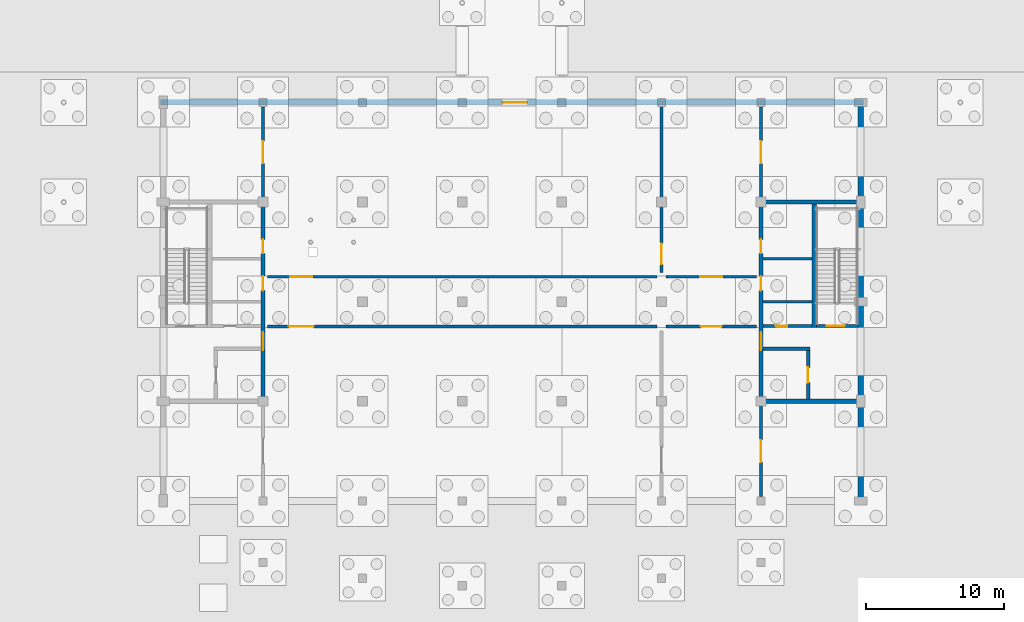
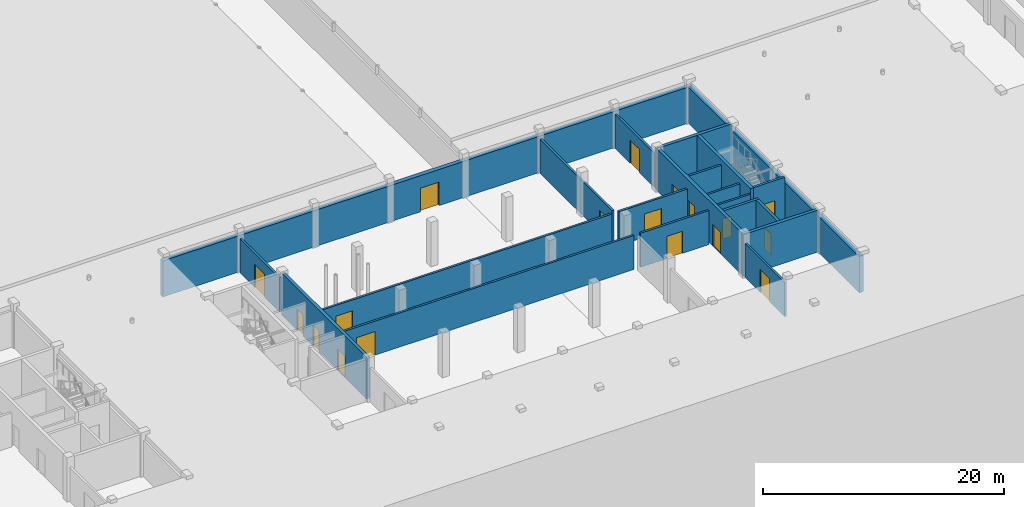
# One storey, part 27 of 51: 21 walls, 18 doors, 18 openings.
"""IFC4 building model written with IfcOpenShell, lengths in metres."""

from ifc_helpers import new_model, si_unit, direction, frame, frame_2d, origin, place, context, subcontext, project, spatial, rectangle, extrude, material, layer, layer_set, type_object, element, fill, save


model = new_model("IFC4")

# Units and contexts
model_context = context("Model", 3, precision=1e-05, world=origin(), true_north=direction((0.0, 1.0)))
body_context = subcontext(model_context, "Body", "Model", "MODEL_VIEW")
ifc_project = project(units=[si_unit("LENGTHUNIT", "METRE"), si_unit("AREAUNIT", "SQUARE_METRE"), si_unit("VOLUMEUNIT", "CUBIC_METRE"), si_unit("PLANEANGLEUNIT", "RADIAN"), si_unit("MASSUNIT", "GRAM", prefix="KILO")], contexts=[model_context])

# Site, building, storey
site_placement = place(None, origin())
site = spatial("IfcSite", under=ifc_project, at=site_placement, CompositionType="ELEMENT")
building_placement = place(site_placement, origin())
building = spatial("IfcBuilding", under=site, at=building_placement, Name="Zlatovets Crest Museum", CompositionType="ELEMENT")
storey_placement = place(building_placement, frame((0.0, 0.0, -4.5)))
storey = spatial("IfcBuildingStorey", under=building, at=storey_placement, Name="B1", CompositionType="ELEMENT", Elevation=-4.5)

# Wall, openings, doors
ifc_material_1 = material(Name="Concrete C35/45", Category="concrete")
ifc_layer_1 = layer(ifc_material_1, 0.300048828125)
ifc_layer_set_1 = layer_set([ifc_layer_1], Name="Concrete C35/45")
wall_type_1 = type_object("IfcWallType", Name="CoreWall_SW01", PredefinedType="SHEAR", material=ifc_layer_set_1)
wall_1_placement = place(storey_placement, frame((64.800048828125, 7.35009765625, 0.0), z_axis=(0.0, 0.0, 1.0), x_axis=(0.0, 1.0, 0.0)))
wall_1 = element("IfcWall", 1, at=wall_1_placement, inside=storey, type_object=wall_type_1, Name="Core C2 B1 Spine Shear Wall", PredefinedType="SHEAR", context=body_context, shape_type="SweptSolid", body=[
    extrude(rectangle(XDim=14.099853515625, YDim=0.300048828125, at=frame_2d((7.0498046875, 0.0))), origin(), (0.0, 0.0, 1.0), 4.25),
])
opening_1_placement = place(wall_1_placement, frame((3.550048828125, 0.0, 0.0)))
opening_1 = element("IfcOpeningElement", 2, at=opening_1_placement, cuts=wall_1, Name="Opening FD-01", PredefinedType="OPENING", context=body_context, shape_type="SweptSolid", body=[
    extrude(rectangle(XDim=1.300048828125, YDim=2.199951171875, at=frame_2d((0.64990234375, 1.10009765625))), frame((0.0, 0.16015625, 0.0), z_axis=(0.0, -1.0, 0.0), x_axis=(1.0, 0.0, 0.0)), (0.0, 0.0, 1.0), 0.320068359375),
])
opening_2_placement = place(wall_1_placement, frame((7.85009765625, 0.0, 0.0)))
opening_2 = element("IfcOpeningElement", 3, at=opening_2_placement, cuts=wall_1, Name="Opening ID-02", PredefinedType="OPENING", context=body_context, shape_type="SweptSolid", body=[
    extrude(rectangle(XDim=1.050048828125, YDim=2.14990234375, at=frame_2d((0.52490234375, 1.074951171875))), frame((0.0, 0.16015625, 0.0), z_axis=(0.0, -1.0, 0.0), x_axis=(1.0, 0.0, 0.0)), (0.0, 0.0, 1.0), 0.320068359375),
])
opening_3_placement = place(wall_1_placement, frame((10.550048828125, 0.0, 0.0)))
opening_3 = element("IfcOpeningElement", 4, at=opening_3_placement, cuts=wall_1, Name="Opening ID-01", PredefinedType="OPENING", context=body_context, shape_type="SweptSolid", body=[
    extrude(rectangle(XDim=1.0, YDim=2.14990234375, at=frame_2d((0.5, 1.074951171875))), frame((0.0, 0.16015625, 0.0), z_axis=(0.0, -1.0, 0.0), x_axis=(1.0, 0.0, 0.0)), (0.0, 0.0, 1.0), 0.320068359375),
])
ifc_material_2 = material(Name="Smoke-sealed steel fire door", Category="steel")
door_type_1 = type_object("IfcDoorType", Name="IntDoor_FD-01", OperationType="NOTDEFINED", PredefinedType="DOOR", material=ifc_material_2)
door_1_placement = place(opening_1_placement, origin())
door_1 = element("IfcDoor", 5, at=door_1_placement, inside=storey, type_object=door_type_1, Name="CDOOR-C2-B1-LOB Core C2 B1 Lobby Fire Door", OperationType="SINGLE_SWING_LEFT", OverallHeight=2.199951171875, OverallWidth=1.300048828125, PredefinedType="DOOR", context=body_context, shape_type="SweptSolid", body=[
    extrude(rectangle(XDim=1.300048828125, YDim=2.199951171875, at=frame_2d((0.64990234375, 1.10009765625))), frame((0.0, 0.02490234375, 0.0), z_axis=(0.0, -1.0, 0.0), x_axis=(1.0, 0.0, 0.0)), (0.0, 0.0, 1.0), 0.050048828125),
])
fill(opening_1, door_1)
ifc_material_3 = material(Name="Solid oak museum room door")
door_type_2 = type_object("IfcDoorType", Name="IntDoor_ID-01", OperationType="NOTDEFINED", PredefinedType="DOOR", material=ifc_material_3)
door_2_placement = place(opening_3_placement, origin())
door_2 = element("IfcDoor", 6, at=door_2_placement, inside=storey, type_object=door_type_2, Name="CDOOR-C2-B1-WC Core C2 B1 Public Restroom Door", OperationType="SINGLE_SWING_RIGHT", OverallHeight=2.14990234375, OverallWidth=1.0, PredefinedType="DOOR", context=body_context, shape_type="SweptSolid", body=[
    extrude(rectangle(XDim=1.0, YDim=2.14990234375, at=frame_2d((0.5, 1.074951171875))), frame((0.0, 0.02490234375, 0.0), z_axis=(0.0, -1.0, 0.0), x_axis=(1.0, 0.0, 0.0)), (0.0, 0.0, 1.0), 0.050048828125),
])
fill(opening_3, door_2)
ifc_material_4 = material(Name="Accessible sanitary room door")
door_type_3 = type_object("IfcDoorType", Name="IntDoor_ID-02", OperationType="NOTDEFINED", PredefinedType="DOOR", material=ifc_material_4)
door_3_placement = place(opening_2_placement, origin())
door_3 = element("IfcDoor", 7, at=door_3_placement, inside=storey, type_object=door_type_3, Name="CDOOR-C2-B1-AWC Core C2 B1 Accessible WC Door", OperationType="SINGLE_SWING_LEFT", OverallHeight=2.14990234375, OverallWidth=1.050048828125, PredefinedType="DOOR", context=body_context, shape_type="SweptSolid", body=[
    extrude(rectangle(XDim=1.050048828125, YDim=2.14990234375, at=frame_2d((0.52490234375, 1.074951171875))), frame((0.0, 0.02490234375, 0.0), z_axis=(0.0, -1.0, 0.0), x_axis=(1.0, 0.0, 0.0)), (0.0, 0.0, 1.0), 0.050048828125),
])
fill(opening_2, door_3)

# Walls
for number, where, z_axis, x_axis, name in (
    (8, (100.64990234375, 7.199951171875, 0.0), (0.0, 0.0, 1.0), (1.0, 0.0, 0.0), "Core C8 B1 South Shear Wall"),
    (9, (100.64990234375, 21.60009765625, 0.0), (0.0, 0.0, 1.0), (1.0, 0.0, 0.0), "Core C8 B1 North Shear Wall"),
):
    element("IfcWall", number, at=place(storey_placement, frame(where, z_axis=z_axis, x_axis=x_axis)), inside=storey, type_object=wall_type_1, Name=name, PredefinedType="SHEAR", context=body_context, shape_type="SweptSolid", body=[
        extrude(rectangle(XDim=7.150146484375, YDim=0.300048828125, at=frame_2d((3.5751953125, 0.0))), origin(), (0.0, 0.0, 1.0), 4.25),
    ])

# Wall, openings, doors
wall_2_placement = place(storey_placement, frame((100.800048828125, 7.35009765625, 0.0), z_axis=(0.0, 0.0, 1.0), x_axis=(0.0, 1.0, 0.0)))
wall_2 = element("IfcWall", 10, at=wall_2_placement, inside=storey, type_object=wall_type_1, Name="Core C8 B1 Spine Shear Wall", PredefinedType="SHEAR", context=body_context, shape_type="SweptSolid", body=[
    extrude(rectangle(XDim=14.099853515625, YDim=0.300048828125, at=frame_2d((7.0498046875, 0.0))), origin(), (0.0, 0.0, 1.0), 4.25),
])
opening_4_placement = place(wall_2_placement, frame((3.550048828125, 0.0, 0.0)))
opening_4 = element("IfcOpeningElement", 11, at=opening_4_placement, cuts=wall_2, Name="Opening FD-01", PredefinedType="OPENING", context=body_context, shape_type="SweptSolid", body=[
    extrude(rectangle(XDim=1.300048828125, YDim=2.199951171875, at=frame_2d((0.64990234375, 1.10009765625))), frame((0.0, 0.16015625, 0.0), z_axis=(0.0, -1.0, 0.0), x_axis=(1.0, 0.0, 0.0)), (0.0, 0.0, 1.0), 0.320068359375),
])
opening_5_placement = place(wall_2_placement, frame((7.85009765625, 0.0, 0.0)))
opening_5 = element("IfcOpeningElement", 12, at=opening_5_placement, cuts=wall_2, Name="Opening ID-02", PredefinedType="OPENING", context=body_context, shape_type="SweptSolid", body=[
    extrude(rectangle(XDim=1.050048828125, YDim=2.14990234375, at=frame_2d((0.52490234375, 1.074951171875))), frame((0.0, 0.16015625, 0.0), z_axis=(0.0, -1.0, 0.0), x_axis=(1.0, 0.0, 0.0)), (0.0, 0.0, 1.0), 0.320068359375),
])
opening_6_placement = place(wall_2_placement, frame((10.550048828125, 0.0, 0.0)))
opening_6 = element("IfcOpeningElement", 13, at=opening_6_placement, cuts=wall_2, Name="Opening ID-01", PredefinedType="OPENING", context=body_context, shape_type="SweptSolid", body=[
    extrude(rectangle(XDim=1.0, YDim=2.14990234375, at=frame_2d((0.5, 1.074951171875))), frame((0.0, 0.16015625, 0.0), z_axis=(0.0, -1.0, 0.0), x_axis=(1.0, 0.0, 0.0)), (0.0, 0.0, 1.0), 0.320068359375),
])
door_4_placement = place(opening_4_placement, origin())
door_4 = element("IfcDoor", 14, at=door_4_placement, inside=storey, type_object=door_type_1, Name="CDOOR-C8-B1-LOB Core C8 B1 Lobby Fire Door", OperationType="SINGLE_SWING_LEFT", OverallHeight=2.199951171875, OverallWidth=1.300048828125, PredefinedType="DOOR", context=body_context, shape_type="SweptSolid", body=[
    extrude(rectangle(XDim=1.300048828125, YDim=2.199951171875, at=frame_2d((0.64990234375, 1.10009765625))), frame((0.0, 0.02490234375, 0.0), z_axis=(0.0, -1.0, 0.0), x_axis=(1.0, 0.0, 0.0)), (0.0, 0.0, 1.0), 0.050048828125),
])
fill(opening_4, door_4)
door_5_placement = place(opening_6_placement, origin())
door_5 = element("IfcDoor", 15, at=door_5_placement, inside=storey, type_object=door_type_2, Name="CDOOR-C8-B1-WC Core C8 B1 Public Restroom Door", OperationType="SINGLE_SWING_RIGHT", OverallHeight=2.14990234375, OverallWidth=1.0, PredefinedType="DOOR", context=body_context, shape_type="SweptSolid", body=[
    extrude(rectangle(XDim=1.0, YDim=2.14990234375, at=frame_2d((0.5, 1.074951171875))), frame((0.0, 0.02490234375, 0.0), z_axis=(0.0, -1.0, 0.0), x_axis=(1.0, 0.0, 0.0)), (0.0, 0.0, 1.0), 0.050048828125),
])
fill(opening_6, door_5)
door_6_placement = place(opening_5_placement, origin())
door_6 = element("IfcDoor", 16, at=door_6_placement, inside=storey, type_object=door_type_3, Name="CDOOR-C8-B1-AWC Core C8 B1 Accessible WC Door", OperationType="SINGLE_SWING_LEFT", OverallHeight=2.14990234375, OverallWidth=1.050048828125, PredefinedType="DOOR", context=body_context, shape_type="SweptSolid", body=[
    extrude(rectangle(XDim=1.050048828125, YDim=2.14990234375, at=frame_2d((0.52490234375, 1.074951171875))), frame((0.0, 0.02490234375, 0.0), z_axis=(0.0, -1.0, 0.0), x_axis=(1.0, 0.0, 0.0)), (0.0, 0.0, 1.0), 0.050048828125),
])
fill(opening_5, door_6)

# Wall
wall_3_placement = place(storey_placement, frame((104.64990234375, 12.5400390625, 0.0), z_axis=(0.0, 0.0, 1.0), x_axis=(0.0, 1.0, 0.0)))
element("IfcWall", 17, at=wall_3_placement, inside=storey, type_object=wall_type_1, Name="Core C8 B1 Stair Divider Wall", PredefinedType="SHEAR", context=body_context, shape_type="SweptSolid", body=[
    extrude(rectangle(XDim=8.909912109375, YDim=0.300048828125, at=frame_2d((4.455078125, 0.0))), origin(), (0.0, 0.0, 1.0), 4.25),
])

# Wall, opening, door
ifc_layer_2 = layer(ifc_material_1, 0.25)
ifc_layer_set_2 = layer_set([ifc_layer_2], Name="Concrete C35/45")
wall_type_2 = type_object("IfcWallType", Name="CoreWall_SW02", PredefinedType="SHEAR", material=ifc_layer_set_2)
wall_4_placement = place(storey_placement, frame((104.199951171875, 7.35009765625, 0.0), z_axis=(0.0, 0.0, 1.0), x_axis=(0.0, 1.0, 0.0)))
wall_4 = element("IfcWall", 18, at=wall_4_placement, inside=storey, type_object=wall_type_2, Name="Core C8 B1 Lift Shaft Wall", PredefinedType="SHEAR", context=body_context, shape_type="SweptSolid", body=[
    extrude(rectangle(XDim=3.52490234375, YDim=0.25, at=frame_2d((1.762451171875, 0.0))), origin(), (0.0, 0.0, 1.0), 4.25),
])
opening_7_placement = place(wall_4_placement, frame((1.199951171875, 0.0, 0.0)))
opening_7 = element("IfcOpeningElement", 19, at=opening_7_placement, cuts=wall_4, Name="Opening LD-01", PredefinedType="OPENING", context=body_context, shape_type="SweptSolid", body=[
    extrude(rectangle(XDim=1.10009765625, YDim=2.14990234375, at=frame_2d((0.550048828125, 1.074951171875))), frame((0.0, 0.135009765625, 0.0), z_axis=(0.0, -1.0, 0.0), x_axis=(1.0, 0.0, 0.0)), (0.0, 0.0, 1.0), 0.27001953125),
])
ifc_material_5 = material(Name="Stainless-bronze sliding lift landing door")
door_type_4 = type_object("IfcDoorType", Name="IntDoor_LD-01", OperationType="SLIDING_TO_LEFT", PredefinedType="DOOR", material=ifc_material_5)
door_7_placement = place(opening_7_placement, origin())
door_7 = element("IfcDoor", 20, at=door_7_placement, inside=storey, type_object=door_type_4, Name="LDOOR-PL5-B1 Lift PL5 B1 Sliding Landing Door", OperationType="SLIDING_TO_LEFT", OverallHeight=2.14990234375, OverallWidth=1.10009765625, PredefinedType="DOOR", context=body_context, shape_type="SweptSolid", body=[
    extrude(rectangle(XDim=1.10009765625, YDim=2.14990234375, at=frame_2d((0.550048828125, 1.074951171875))), frame((0.0, 0.02490234375, 0.0), z_axis=(0.0, -1.0, 0.0), x_axis=(1.0, 0.0, 0.0)), (0.0, 0.0, 1.0), 0.050048828125),
])
fill(opening_7, door_7)

wall_5_placement = place(storey_placement, frame((104.800048828125, 12.64990234375, 0.0), z_axis=(0.0, 0.0, 1.0), x_axis=(1.0, 0.0, 0.0)))
wall_5 = element("IfcWall", 21, at=wall_5_placement, inside=storey, type_object=wall_type_2, Name="Core C8 B1 Stairwell Fire Wall", PredefinedType="SHEAR", context=body_context, shape_type="SweptSolid", body=[
    extrude(rectangle(XDim=3.0, YDim=0.219970703125, at=frame_2d((1.5, 0.0))), origin(), (0.0, 0.0, 1.0), 4.25),
])
opening_8_placement = place(wall_5_placement, frame((0.75, 0.0, 0.0)))
opening_8 = element("IfcOpeningElement", 22, at=opening_8_placement, cuts=wall_5, Name="Opening FD-01", PredefinedType="OPENING", context=body_context, shape_type="SweptSolid", body=[
    extrude(rectangle(XDim=1.300048828125, YDim=2.199951171875, at=frame_2d((0.64990234375, 1.10009765625))), frame((0.0, 0.1201171875, 0.0), z_axis=(0.0, -1.0, 0.0), x_axis=(1.0, 0.0, 0.0)), (0.0, 0.0, 1.0), 0.239990234375),
])
door_8_placement = place(opening_8_placement, origin())
door_8 = element("IfcDoor", 23, at=door_8_placement, inside=storey, type_object=door_type_1, Name="SDOOR-ST9-B1 Stair ST9 B1 Fire Door", OperationType="SINGLE_SWING_LEFT", OverallHeight=2.199951171875, OverallWidth=1.300048828125, PredefinedType="DOOR", context=body_context, shape_type="SweptSolid", body=[
    extrude(rectangle(XDim=1.300048828125, YDim=2.199951171875, at=frame_2d((0.64990234375, 1.10009765625))), frame((0.0, 0.02490234375, 0.0), z_axis=(0.0, -1.0, 0.0), x_axis=(1.0, 0.0, 0.0)), (0.0, 0.0, 1.0), 0.050048828125),
])
fill(opening_8, door_8)

# Wall
wall_6_placement = place(storey_placement, frame((100.949951171875, 11.0, 0.0), z_axis=(0.0, 0.0, 1.0), x_axis=(1.0, 0.0, 0.0)))
element("IfcWall", 24, at=wall_6_placement, inside=storey, type_object=wall_type_2, Name="Core C8 B1 Lift Shaft North Shear Wall", PredefinedType="SHEAR", context=body_context, shape_type="SweptSolid", body=[
    extrude(rectangle(XDim=3.375, YDim=0.25, at=frame_2d((1.6875, 0.0))), origin(), (0.0, 0.0, 1.0), 4.25),
])

# Wall, opening, door
ifc_material_6 = material(Name="Gypsum-encased fire compartment partition")
ifc_layer_3 = layer(ifc_material_6, 0.199951171875)
ifc_layer_set_3 = layer_set([ifc_layer_3], Name="Gypsum-encased fire compartment partition")
wall_type_3 = type_object("IfcWallType", Name="PartWall_PT-01", PredefinedType="PARTITIONING", material=ifc_layer_set_3)
wall_7_placement = place(storey_placement, frame((65.1201171875, 12.60009765625, 0.0), z_axis=(0.0, 0.0, 1.0), x_axis=(1.0, 0.0, 0.0)))
wall_7 = element("IfcWall", 25, at=wall_7_placement, inside=storey, type_object=wall_type_3, Name="V2 B1 Interior Partition PT-01", PredefinedType="PARTITIONING", context=body_context, shape_type="SweptSolid", body=[
    extrude(rectangle(XDim=28.159912109375, YDim=0.199951171875, at=frame_2d((14.080078125, 0.0))), origin(), (0.0, 0.0, 1.0), 3.449951171875),
])
opening_9_placement = place(wall_7_placement, frame((1.548583984375, 0.0, 0.0)))
opening_9 = element("IfcOpeningElement", 26, at=opening_9_placement, cuts=wall_7, Name="Opening FD-04", PredefinedType="OPENING", context=body_context, shape_type="SweptSolid", body=[
    extrude(rectangle(XDim=1.800048828125, YDim=2.39990234375, at=frame_2d((0.89990234375, 1.199951171875))), frame((0.0, 0.10986328125, 0.0), z_axis=(0.0, -1.0, 0.0), x_axis=(1.0, 0.0, 0.0)), (0.0, 0.0, 1.0), 0.219970703125),
])
ifc_material_7 = material(Name="Archive vault heavy fire door")
door_type_5 = type_object("IfcDoorType", Name="IntDoor_FD-04", OperationType="DOUBLE_DOOR_SINGLE_SWING", PredefinedType="DOOR", material=ifc_material_7)
door_9_placement = place(opening_9_placement, origin())
door_9 = element("IfcDoor", 27, at=door_9_placement, inside=storey, type_object=door_type_5, Name="IDOOR-V2-B1-0011 Central Basement Corridor to Loan Exhibition Archive Vault Door", OperationType="DOUBLE_DOOR_SINGLE_SWING", OverallHeight=2.39990234375, OverallWidth=1.800048828125, PredefinedType="DOOR", context=body_context, shape_type="SweptSolid", body=[
    extrude(rectangle(XDim=1.800048828125, YDim=2.39990234375, at=frame_2d((0.89990234375, 1.199951171875))), frame((0.0, 0.02490234375, 0.0), z_axis=(0.0, -1.0, 0.0), x_axis=(1.0, 0.0, 0.0)), (0.0, 0.0, 1.0), 0.050048828125),
])
fill(opening_9, door_9)

wall_8_placement = place(storey_placement, frame((93.919921875, 12.60009765625, 0.0), z_axis=(0.0, 0.0, 1.0), x_axis=(1.0, 0.0, 0.0)))
wall_8 = element("IfcWall", 28, at=wall_8_placement, inside=storey, type_object=wall_type_3, Name="V2 B1 Interior Partition PT-01", PredefinedType="PARTITIONING", context=body_context, shape_type="SweptSolid", body=[
    extrude(rectangle(XDim=6.56005859375, YDim=0.199951171875, at=frame_2d((3.280029296875, 0.0))), origin(), (0.0, 0.0, 1.0), 3.449951171875),
])
opening_10_placement = place(wall_8_placement, frame((2.530029296875, 0.0, 0.0)))
opening_10 = element("IfcOpeningElement", 29, at=opening_10_placement, cuts=wall_8, Name="Opening FD-02", PredefinedType="OPENING", context=body_context, shape_type="SweptSolid", body=[
    extrude(rectangle(XDim=1.5, YDim=2.25, at=frame_2d((0.75, 1.125))), frame((0.0, 0.10986328125, 0.0), z_axis=(0.0, -1.0, 0.0), x_axis=(1.0, 0.0, 0.0)), (0.0, 0.0, 1.0), 0.219970703125),
])
ifc_material_8 = material(Name="Double corridor compartment fire door")
door_type_6 = type_object("IfcDoorType", Name="IntDoor_FD-02", OperationType="DOUBLE_DOOR_SINGLE_SWING", PredefinedType="DOOR", material=ifc_material_8)
door_10_placement = place(opening_10_placement, origin())
door_10 = element("IfcDoor", 30, at=door_10_placement, inside=storey, type_object=door_type_6, Name="IDOOR-V2-B1-0012 Central Basement Corridor to Electrical Substation Room Door", OperationType="DOUBLE_DOOR_SINGLE_SWING", OverallHeight=2.25, OverallWidth=1.5, PredefinedType="DOOR", context=body_context, shape_type="SweptSolid", body=[
    extrude(rectangle(XDim=1.5, YDim=2.25, at=frame_2d((0.75, 1.125))), frame((0.0, 0.02490234375, 0.0), z_axis=(0.0, -1.0, 0.0), x_axis=(1.0, 0.0, 0.0)), (0.0, 0.0, 1.0), 0.050048828125),
])
fill(opening_10, door_10)

wall_9_placement = place(storey_placement, frame((65.1201171875, 16.199951171875, 0.0), z_axis=(0.0, 0.0, 1.0), x_axis=(1.0, 0.0, 0.0)))
wall_9 = element("IfcWall", 31, at=wall_9_placement, inside=storey, type_object=wall_type_3, Name="V2 B1 Interior Partition PT-01", PredefinedType="PARTITIONING", context=body_context, shape_type="SweptSolid", body=[
    extrude(rectangle(XDim=28.159912109375, YDim=0.199951171875, at=frame_2d((14.080078125, 0.0))), origin(), (0.0, 0.0, 1.0), 3.449951171875),
])
opening_11_placement = place(wall_9_placement, frame((1.648681640625, 0.0, 0.0)))
opening_11 = element("IfcOpeningElement", 32, at=opening_11_placement, cuts=wall_9, Name="Opening ID-04", PredefinedType="OPENING", context=body_context, shape_type="SweptSolid", body=[
    extrude(rectangle(XDim=1.60009765625, YDim=2.35009765625, at=frame_2d((0.800048828125, 1.175048828125))), frame((0.0, 0.10986328125, 0.0), z_axis=(0.0, -1.0, 0.0), x_axis=(1.0, 0.0, 0.0)), (0.0, 0.0, 1.0), 0.219970703125),
])
ifc_material_9 = material(Name="Gallery salon double portal door")
door_type_7 = type_object("IfcDoorType", Name="IntDoor_ID-04", OperationType="DOUBLE_DOOR_SINGLE_SWING", PredefinedType="DOOR", material=ifc_material_9)
door_11_placement = place(opening_11_placement, origin())
door_11 = element("IfcDoor", 33, at=door_11_placement, inside=storey, type_object=door_type_7, Name="IDOOR-V2-B1-0013 Central Basement Corridor to Chiller and Heat Pump Plant Room Door", OperationType="DOUBLE_DOOR_SINGLE_SWING", OverallHeight=2.35009765625, OverallWidth=1.60009765625, PredefinedType="DOOR", context=body_context, shape_type="SweptSolid", body=[
    extrude(rectangle(XDim=1.60009765625, YDim=2.35009765625, at=frame_2d((0.800048828125, 1.175048828125))), frame((0.0, 0.02490234375, 0.0), z_axis=(0.0, -1.0, 0.0), x_axis=(1.0, 0.0, 0.0)), (0.0, 0.0, 1.0), 0.050048828125),
])
fill(opening_11, door_11)

wall_10_placement = place(storey_placement, frame((93.919921875, 16.199951171875, 0.0), z_axis=(0.0, 0.0, 1.0), x_axis=(1.0, 0.0, 0.0)))
wall_10 = element("IfcWall", 34, at=wall_10_placement, inside=storey, type_object=wall_type_3, Name="V2 B1 Interior Partition PT-01", PredefinedType="PARTITIONING", context=body_context, shape_type="SweptSolid", body=[
    extrude(rectangle(XDim=6.56005859375, YDim=0.199951171875, at=frame_2d((3.280029296875, 0.0))), origin(), (0.0, 0.0, 1.0), 3.449951171875),
])
opening_12_placement = place(wall_10_placement, frame((2.47998046875, 0.0, 0.0)))
opening_12 = element("IfcOpeningElement", 35, at=opening_12_placement, cuts=wall_10, Name="Opening ID-04", PredefinedType="OPENING", context=body_context, shape_type="SweptSolid", body=[
    extrude(rectangle(XDim=1.60009765625, YDim=2.35009765625, at=frame_2d((0.800048828125, 1.175048828125))), frame((0.0, 0.10986328125, 0.0), z_axis=(0.0, -1.0, 0.0), x_axis=(1.0, 0.0, 0.0)), (0.0, 0.0, 1.0), 0.219970703125),
])
door_12_placement = place(opening_12_placement, origin())
door_12 = element("IfcDoor", 36, at=door_12_placement, inside=storey, type_object=door_type_7, Name="IDOOR-V2-B1-0014 Central Basement Corridor to Standby Power Room Door", OperationType="DOUBLE_DOOR_SINGLE_SWING", OverallHeight=2.35009765625, OverallWidth=1.60009765625, PredefinedType="DOOR", context=body_context, shape_type="SweptSolid", body=[
    extrude(rectangle(XDim=1.60009765625, YDim=2.35009765625, at=frame_2d((0.800048828125, 1.175048828125))), frame((0.0, 0.02490234375, 0.0), z_axis=(0.0, -1.0, 0.0), x_axis=(1.0, 0.0, 0.0)), (0.0, 0.0, 1.0), 0.050048828125),
])
fill(opening_12, door_12)

wall_11_placement = place(storey_placement, frame((100.800048828125, 0.320068359375, 0.0), z_axis=(0.0, 0.0, 1.0), x_axis=(0.0, 1.0, 0.0)))
wall_11 = element("IfcWall", 37, at=wall_11_placement, inside=storey, type_object=wall_type_3, Name="V2 B1 Interior Partition PT-01", PredefinedType="PARTITIONING", context=body_context, shape_type="SweptSolid", body=[
    extrude(rectangle(XDim=6.559814453125, YDim=0.199951171875, at=frame_2d((3.27978515625, 0.0))), origin(), (0.0, 0.0, 1.0), 3.449951171875),
])
opening_13_placement = place(wall_11_placement, frame((2.47998046875, 0.0, 0.0)))
opening_13 = element("IfcOpeningElement", 38, at=opening_13_placement, cuts=wall_11, Name="Opening ID-04", PredefinedType="OPENING", context=body_context, shape_type="SweptSolid", body=[
    extrude(rectangle(XDim=1.60009765625, YDim=2.35009765625, at=frame_2d((0.800048828125, 1.175048828125))), frame((0.0, 0.10986328125, 0.0), z_axis=(0.0, -1.0, 0.0), x_axis=(1.0, 0.0, 0.0)), (0.0, 0.0, 1.0), 0.219970703125),
])
door_13_placement = place(opening_13_placement, origin())
door_13 = element("IfcDoor", 39, at=door_13_placement, inside=storey, type_object=door_type_7, Name="IDOOR-V2-B1-0017 Electrical Substation Room to Switchgear Room Door", OperationType="DOUBLE_DOOR_SINGLE_SWING", OverallHeight=2.35009765625, OverallWidth=1.60009765625, PredefinedType="DOOR", context=body_context, shape_type="SweptSolid", body=[
    extrude(rectangle(XDim=1.60009765625, YDim=2.35009765625, at=frame_2d((0.800048828125, 1.175048828125))), frame((0.0, 0.02490234375, 0.0), z_axis=(0.0, -1.0, 0.0), x_axis=(1.0, 0.0, 0.0)), (0.0, 0.0, 1.0), 0.050048828125),
])
fill(opening_13, door_13)

wall_12_placement = place(storey_placement, frame((93.60009765625, 16.52001953125, 0.0), z_axis=(0.0, 0.0, 1.0), x_axis=(0.0, 1.0, 0.0)))
wall_12 = element("IfcWall", 40, at=wall_12_placement, inside=storey, type_object=wall_type_3, Name="V2 B1 Interior Partition PT-01", PredefinedType="PARTITIONING", context=body_context, shape_type="SweptSolid", body=[
    extrude(rectangle(XDim=11.9599609375, YDim=0.199951171875, at=frame_2d((5.97998046875, 0.0))), origin(), (0.0, 0.0, 1.0), 3.449951171875),
])
opening_14_placement = place(wall_12_placement, frame((0.578857421875, 0.0, 0.0)))
opening_14 = element("IfcOpeningElement", 41, at=opening_14_placement, cuts=wall_12, Name="Opening FD-02", PredefinedType="OPENING", context=body_context, shape_type="SweptSolid", body=[
    extrude(rectangle(XDim=1.5, YDim=2.25, at=frame_2d((0.75, 1.125))), frame((0.0, 0.10986328125, 0.0), z_axis=(0.0, -1.0, 0.0), x_axis=(1.0, 0.0, 0.0)), (0.0, 0.0, 1.0), 0.219970703125),
])
door_14_placement = place(opening_14_placement, origin())
door_14 = element("IfcDoor", 42, at=door_14_placement, inside=storey, type_object=door_type_6, Name="IDOOR-V2-B1-0018 Chiller and Heat Pump Plant Room to Standby Power Room Door", OperationType="DOUBLE_DOOR_SINGLE_SWING", OverallHeight=2.25, OverallWidth=1.5, PredefinedType="DOOR", context=body_context, shape_type="SweptSolid", body=[
    extrude(rectangle(XDim=1.5, YDim=2.25, at=frame_2d((0.75, 1.125))), frame((0.0, 0.02490234375, 0.0), z_axis=(0.0, -1.0, 0.0), x_axis=(1.0, 0.0, 0.0)), (0.0, 0.0, 1.0), 0.050048828125),
])
fill(opening_14, door_14)

wall_13_placement = place(storey_placement, frame((64.800048828125, 21.919921875, 0.0), z_axis=(0.0, 0.0, 1.0), x_axis=(0.0, 1.0, 0.0)))
wall_13 = element("IfcWall", 43, at=wall_13_placement, inside=storey, type_object=wall_type_3, Name="V2 B1 Interior Partition PT-01", PredefinedType="PARTITIONING", context=body_context, shape_type="SweptSolid", body=[
    extrude(rectangle(XDim=6.56005859375, YDim=0.199951171875, at=frame_2d((3.280029296875, 0.0))), origin(), (0.0, 0.0, 1.0), 3.449951171875),
])
opening_15_placement = place(wall_13_placement, frame((2.47998046875, 0.0, 0.0)))
opening_15 = element("IfcOpeningElement", 44, at=opening_15_placement, cuts=wall_13, Name="Opening ID-04", PredefinedType="OPENING", context=body_context, shape_type="SweptSolid", body=[
    extrude(rectangle(XDim=1.60009765625, YDim=2.35009765625, at=frame_2d((0.800048828125, 1.175048828125))), frame((0.0, 0.10986328125, 0.0), z_axis=(0.0, -1.0, 0.0), x_axis=(1.0, 0.0, 0.0)), (0.0, 0.0, 1.0), 0.219970703125),
])
door_15_placement = place(opening_15_placement, origin())
door_15 = element("IfcDoor", 45, at=door_15_placement, inside=storey, type_object=door_type_7, Name="IDOOR-V2-B1-0019 Chiller and Heat Pump Plant Room to Atrium Close-Control AHU Room Door", OperationType="DOUBLE_DOOR_SINGLE_SWING", OverallHeight=2.35009765625, OverallWidth=1.60009765625, PredefinedType="DOOR", context=body_context, shape_type="SweptSolid", body=[
    extrude(rectangle(XDim=1.60009765625, YDim=2.35009765625, at=frame_2d((0.800048828125, 1.175048828125))), frame((0.0, 0.02490234375, 0.0), z_axis=(0.0, -1.0, 0.0), x_axis=(1.0, 0.0, 0.0)), (0.0, 0.0, 1.0), 0.050048828125),
])
fill(opening_15, door_15)

wall_14_placement = place(storey_placement, frame((100.800048828125, 21.919921875, 0.0), z_axis=(0.0, 0.0, 1.0), x_axis=(0.0, 1.0, 0.0)))
wall_14 = element("IfcWall", 46, at=wall_14_placement, inside=storey, type_object=wall_type_3, Name="V2 B1 Interior Partition PT-01", PredefinedType="PARTITIONING", context=body_context, shape_type="SweptSolid", body=[
    extrude(rectangle(XDim=6.56005859375, YDim=0.199951171875, at=frame_2d((3.280029296875, 0.0))), origin(), (0.0, 0.0, 1.0), 3.449951171875),
])
opening_16_placement = place(wall_14_placement, frame((2.47998046875, 0.0, 0.0)))
opening_16 = element("IfcOpeningElement", 47, at=opening_16_placement, cuts=wall_14, Name="Opening ID-04", PredefinedType="OPENING", context=body_context, shape_type="SweptSolid", body=[
    extrude(rectangle(XDim=1.60009765625, YDim=2.35009765625, at=frame_2d((0.800048828125, 1.175048828125))), frame((0.0, 0.10986328125, 0.0), z_axis=(0.0, -1.0, 0.0), x_axis=(1.0, 0.0, 0.0)), (0.0, 0.0, 1.0), 0.219970703125),
])
door_16_placement = place(opening_16_placement, origin())
door_16 = element("IfcDoor", 48, at=door_16_placement, inside=storey, type_object=door_type_7, Name="IDOOR-V2-B1-0020 Standby Power Room to District Heating Substation Door", OperationType="DOUBLE_DOOR_SINGLE_SWING", OverallHeight=2.35009765625, OverallWidth=1.60009765625, PredefinedType="DOOR", context=body_context, shape_type="SweptSolid", body=[
    extrude(rectangle(XDim=1.60009765625, YDim=2.35009765625, at=frame_2d((0.800048828125, 1.175048828125))), frame((0.0, 0.02490234375, 0.0), z_axis=(0.0, -1.0, 0.0), x_axis=(1.0, 0.0, 0.0)), (0.0, 0.0, 1.0), 0.050048828125),
])
fill(opening_16, door_16)

ifc_material_10 = material(Name="Sanitary core acoustic service wall")
ifc_layer_4 = layer(ifc_material_10, 0.219970703125)
ifc_layer_set_4 = layer_set([ifc_layer_4], Name="Sanitary core acoustic service wall")
wall_type_4 = type_object("IfcWallType", Name="PartWall_PT-04", PredefinedType="PLUMBINGWALL", material=ifc_layer_set_4)
wall_15_placement = place(storey_placement, frame((100.949951171875, 12.64990234375, 0.0), z_axis=(0.0, 0.0, 1.0), x_axis=(1.0, 0.0, 0.0)))
wall_15 = element("IfcWall", 49, at=wall_15_placement, inside=storey, type_object=wall_type_4, Name="Core C8 B1 Riser Lobby Wall", PredefinedType="PLUMBINGWALL", context=body_context, shape_type="SweptSolid", body=[
    extrude(rectangle(XDim=3.550048828125, YDim=0.199951171875, at=frame_2d((1.77490234375, 0.0))), origin(), (0.0, 0.0, 1.0), 3.669921875),
])
opening_17_placement = place(wall_15_placement, frame((0.89990234375, 0.0, 0.0)))
opening_17 = element("IfcOpeningElement", 50, at=opening_17_placement, cuts=wall_15, Name="Opening FD-03", PredefinedType="OPENING", context=body_context, shape_type="SweptSolid", body=[
    extrude(rectangle(XDim=0.85009765625, YDim=2.050048828125, at=frame_2d((0.425048828125, 1.02490234375))), frame((0.0, 0.10986328125, 0.0), z_axis=(0.0, -1.0, 0.0), x_axis=(1.0, 0.0, 0.0)), (0.0, 0.0, 1.0), 0.219970703125),
])
ifc_material_11 = material(Name="Steel riser shaft access fire door", Category="steel")
door_type_8 = type_object("IfcDoorType", Name="IntDoor_FD-03", OperationType="NOTDEFINED", PredefinedType="TRAPDOOR", material=ifc_material_11)
door_17_placement = place(opening_17_placement, origin())
door_17 = element("IfcDoor", 51, at=door_17_placement, inside=storey, type_object=door_type_8, Name="CDOOR-C8-B1-RIS Core C8 B1 Riser Access Door", OperationType="SINGLE_SWING_RIGHT", OverallHeight=2.050048828125, OverallWidth=0.85009765625, PredefinedType="TRAPDOOR", context=body_context, shape_type="SweptSolid", body=[
    extrude(rectangle(XDim=0.85009765625, YDim=2.050048828125, at=frame_2d((0.425048828125, 1.02490234375))), frame((0.0, 0.02490234375, 0.0), z_axis=(0.0, -1.0, 0.0), x_axis=(1.0, 0.0, 0.0)), (0.0, 0.0, 1.0), 0.050048828125),
])
fill(opening_17, door_17)

# Walls
for number, where, z_axis, x_axis, name in (
    (52, (100.949951171875, 14.39990234375, 0.0), (0.0, 0.0, 1.0), (1.0, 0.0, 0.0), "Core C8 B1 Sanitary Divider"),
    (53, (100.949951171875, 17.5, 0.0), (0.0, 0.0, 1.0), (1.0, 0.0, 0.0), "Core C8 B1 Sanitary Divider"),
):
    element("IfcWall", number, at=place(storey_placement, frame(where, z_axis=z_axis, x_axis=x_axis)), inside=storey, type_object=wall_type_4, Name=name, PredefinedType="PLUMBINGWALL", context=body_context, shape_type="SweptSolid", body=[
        extrude(rectangle(XDim=3.550048828125, YDim=0.199951171875, at=frame_2d((1.77490234375, 0.0))), origin(), (0.0, 0.0, 1.0), 3.669921875),
    ])
ifc_layer_5 = layer(ifc_material_1, 0.39990234375)
ifc_layer_set_5 = layer_set([ifc_layer_5], Name="Concrete C35/45")
wall_type_5 = type_object("IfcWallType", Name="RetainingWall_RW01", PredefinedType="USERDEFINED", material=ifc_layer_set_5)
wall_16_placement = place(storey_placement, frame((108.0, 0.199951171875, 0.0), z_axis=(0.0, 0.0, 1.0), x_axis=(0.0, 1.0, 0.0)))
element("IfcWall", 54, at=wall_16_placement, inside=storey, type_object=wall_type_5, Name="V2 B1 Retaining Wall E", ObjectType="RETAINING WALL", PredefinedType="USERDEFINED", context=body_context, shape_type="SweptSolid", body=[
    extrude(rectangle(XDim=28.400146484375, YDim=0.39990234375, at=frame_2d((14.2001953125, 0.0))), origin(), (0.0, 0.0, 1.0), 3.669921875),
])

# Wall, opening, door
wall_17_placement = place(storey_placement, frame((108.199951171875, 28.800048828125, 0.0), z_axis=(0.0, 0.0, 1.0), x_axis=(-1.0, 0.0, 0.0)))
wall_17 = element("IfcWall", 55, at=wall_17_placement, inside=storey, type_object=wall_type_5, Name="V2 B1 Retaining Wall N", ObjectType="RETAINING WALL", PredefinedType="USERDEFINED", context=body_context, shape_type="SweptSolid", body=[
    extrude(rectangle(XDim=50.800048828125, YDim=0.39990234375, at=frame_2d((25.39990234375, 0.0))), origin(), (0.0, 0.0, 1.0), 3.669921875),
])
opening_18_placement = place(wall_17_placement, frame((24.300048828125, 0.0, 0.0)))
opening_18 = element("IfcOpeningElement", 56, at=opening_18_placement, cuts=wall_17, Name="Opening FD-04", PredefinedType="OPENING", context=body_context, shape_type="SweptSolid", body=[
    extrude(rectangle(XDim=1.800048828125, YDim=2.39990234375, at=frame_2d((0.89990234375, 1.199951171875))), frame((0.0, 0.2099609375, 0.0), z_axis=(0.0, -1.0, 0.0), x_axis=(1.0, 0.0, 0.0)), (0.0, 0.0, 1.0), 0.419921875),
])
door_18_placement = place(opening_18_placement, origin())
door_18 = element("IfcDoor", 57, at=door_18_placement, inside=storey, type_object=door_type_5, Name="IDOOR-BR5-B1-S Art Transit Tunnel South Vault Door", OperationType="DOUBLE_DOOR_SINGLE_SWING", OverallHeight=2.39990234375, OverallWidth=1.800048828125, PredefinedType="DOOR", context=body_context, shape_type="SweptSolid", body=[
    extrude(rectangle(XDim=1.800048828125, YDim=2.39990234375, at=frame_2d((0.89990234375, 1.199951171875))), frame((0.0, 0.02490234375, 0.0), z_axis=(0.0, -1.0, 0.0), x_axis=(1.0, 0.0, 0.0)), (0.0, 0.0, 1.0), 0.050048828125),
])
fill(opening_18, door_18)

save(model, "model.ifc")
